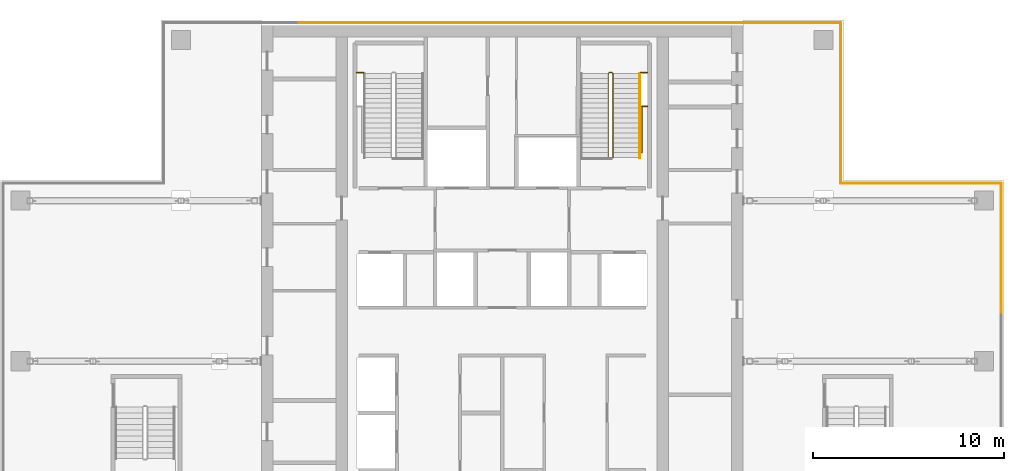
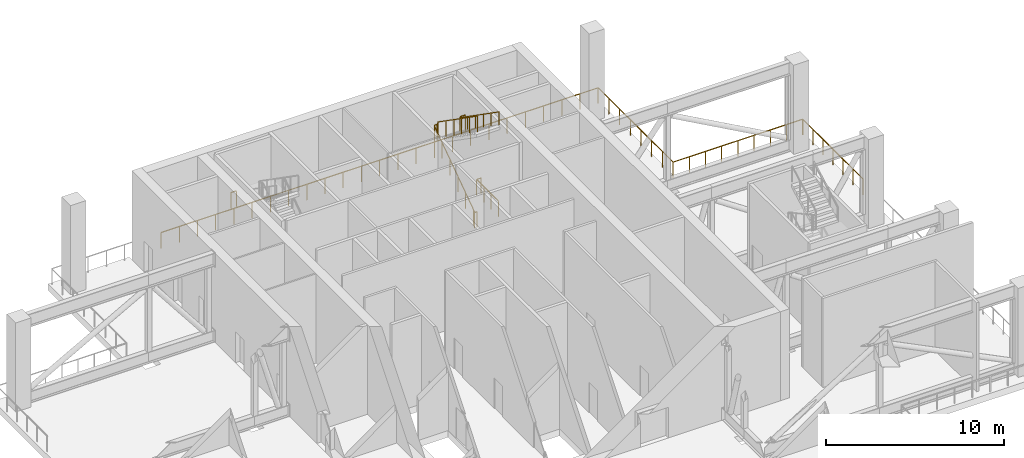
# One storey, part 24 of 24: 12 railings.
"""IFC4 building model written with IfcOpenShell, lengths in metres."""

from ifc_helpers import new_model, si_unit, direction, frame, origin, origin_2d, place, context, subcontext, project, spatial, rectangle, extrude, material, type_object, element, save


model = new_model("IFC4")

# Units and contexts
model_context = context("Model", 3, precision=1e-05, world=origin(), true_north=direction((0.0, 1.0)))
body_context = subcontext(model_context, "Body", "Model", "MODEL_VIEW")
ifc_project = project(units=[si_unit("LENGTHUNIT", "METRE"), si_unit("AREAUNIT", "SQUARE_METRE"), si_unit("VOLUMEUNIT", "CUBIC_METRE"), si_unit("PLANEANGLEUNIT", "RADIAN"), si_unit("MASSUNIT", "GRAM", prefix="KILO")], contexts=[model_context])

# Site, building, storey
site_placement = place(None, origin())
site = spatial("IfcSite", under=ifc_project, at=site_placement, CompositionType="ELEMENT")
building_placement = place(site_placement, origin())
building = spatial("IfcBuilding", under=site, at=building_placement, Name="Vermilion Ogive Tower", CompositionType="ELEMENT")
storey_placement = place(building_placement, frame((0.0, 0.0, 216.949951171875)))
storey = spatial("IfcBuildingStorey", under=building, at=storey_placement, Name="L57", CompositionType="ELEMENT", Elevation=216.949951171875)

# Railings
ifc_material_1 = material(Name="Stainless steel and glass", Category="steel")
railing_type_1 = type_object("IfcRailingType", Name="Edge guard", PredefinedType="GUARDRAIL", material=ifc_material_1)
for number, where, name in (
    (1, (-10.6201171875, 21.89990234375, 0.0), "Open edge guard L57 6.2"),
    (2, (-3.5400390625, 21.89990234375, 0.0), "Open edge guard L57 6.3"),
    (3, (3.5400390625, 21.89990234375, 0.0), "Open edge guard L57 6.4"),
):
    element("IfcRailing", number, at=place(storey_placement, frame(where)), inside=storey, type_object=railing_type_1, Name=name, PredefinedType="GUARDRAIL", context=body_context, shape_type="SweptSolid", body=[
        extrude(rectangle(XDim=0.048095703125, YDim=0.048095703125, at=origin_2d()), frame((0.0, 0.0, 1.076171875), z_axis=(1.0, 0.0, 0.0), x_axis=(0.0, 1.0, 0.0)), (0.0, 0.0, 1.0), 7.080078125),
        extrude(rectangle(XDim=0.0419921875, YDim=0.0419921875, at=origin_2d()), origin(), (0.0, 0.0, 1.0), 1.052001953125),
        extrude(rectangle(XDim=0.0419921875, YDim=0.0419921875, at=origin_2d()), frame((1.179931640625, 0.0, 0.0)), (0.0, 0.0, 1.0), 1.052001953125),
        extrude(rectangle(XDim=0.0419921875, YDim=0.0419921875, at=origin_2d()), frame((2.360107421875, 0.0, 0.0)), (0.0, 0.0, 1.0), 1.052001953125),
        extrude(rectangle(XDim=0.0419921875, YDim=0.0419921875, at=origin_2d()), frame((3.5400390625, 0.0, 0.0)), (0.0, 0.0, 1.0), 1.052001953125),
        extrude(rectangle(XDim=0.0419921875, YDim=0.0419921875, at=origin_2d()), frame((4.719970703125, 0.0, 0.0)), (0.0, 0.0, 1.0), 1.052001953125),
        extrude(rectangle(XDim=0.0419921875, YDim=0.0419921875, at=origin_2d()), frame((5.900146484375, 0.0, 0.0)), (0.0, 0.0, 1.0), 1.052001953125),
        extrude(rectangle(XDim=0.0419921875, YDim=0.0419921875, at=origin_2d()), frame((7.080078125, 0.0, 0.0)), (0.0, 0.0, 1.0), 1.052001953125),
    ])
railing_1_placement = place(storey_placement, frame((10.6201171875, 21.89990234375, 0.0)))
element("IfcRailing", 4, at=railing_1_placement, inside=storey, type_object=railing_type_1, Name="Open edge guard L57 6.5", PredefinedType="GUARDRAIL", context=body_context, shape_type="SweptSolid", body=[
    extrude(rectangle(XDim=0.048095703125, YDim=0.048095703125, at=origin_2d()), frame((0.0, 0.0, 1.076171875), z_axis=(1.0, 0.0, 0.0), x_axis=(0.0, 1.0, 0.0)), (0.0, 0.0, 1.0), 7.079833984375),
    extrude(rectangle(XDim=0.0419921875, YDim=0.0419921875, at=origin_2d()), origin(), (0.0, 0.0, 1.0), 1.052001953125),
    extrude(rectangle(XDim=0.0419921875, YDim=0.0419921875, at=origin_2d()), frame((1.179931640625, 0.0, 0.0)), (0.0, 0.0, 1.0), 1.052001953125),
    extrude(rectangle(XDim=0.0419921875, YDim=0.0419921875, at=origin_2d()), frame((2.35986328125, 0.0, 0.0)), (0.0, 0.0, 1.0), 1.052001953125),
    extrude(rectangle(XDim=0.0419921875, YDim=0.0419921875, at=origin_2d()), frame((3.5400390625, 0.0, 0.0)), (0.0, 0.0, 1.0), 1.052001953125),
    extrude(rectangle(XDim=0.0419921875, YDim=0.0419921875, at=origin_2d()), frame((4.719970703125, 0.0, 0.0)), (0.0, 0.0, 1.0), 1.052001953125),
    extrude(rectangle(XDim=0.0419921875, YDim=0.0419921875, at=origin_2d()), frame((5.89990234375, 0.0, 0.0)), (0.0, 0.0, 1.0), 1.052001953125),
    extrude(rectangle(XDim=0.0419921875, YDim=0.0419921875, at=origin_2d()), frame((7.079833984375, 0.0, 0.0)), (0.0, 0.0, 1.0), 1.052001953125),
])
railing_2_placement = place(storey_placement, frame((17.699951171875, 21.89990234375, 0.0)))
element("IfcRailing", 5, at=railing_2_placement, inside=storey, type_object=railing_type_1, Name="Open edge guard L57 7.1", PredefinedType="GUARDRAIL", context=body_context, shape_type="SweptSolid", body=[
    extrude(rectangle(XDim=0.048095703125, YDim=0.048095703125, at=origin_2d()), frame((0.0, 0.0, 1.076171875), z_axis=(0.0, -1.0, 0.0), x_axis=(1.0, 0.0, 0.0)), (0.0, 0.0, 1.0), 8.39990234375),
    extrude(rectangle(XDim=0.0419921875, YDim=0.0419921875, at=origin_2d()), origin(), (0.0, 0.0, 1.0), 1.052001953125),
    extrude(rectangle(XDim=0.0419921875, YDim=0.0419921875, at=origin_2d()), frame((0.0, -1.199951171875, 0.0)), (0.0, 0.0, 1.0), 1.052001953125),
    extrude(rectangle(XDim=0.0419921875, YDim=0.0419921875, at=origin_2d()), frame((0.0, -2.39990234375, 0.0)), (0.0, 0.0, 1.0), 1.052001953125),
    extrude(rectangle(XDim=0.0419921875, YDim=0.0419921875, at=origin_2d()), frame((0.0, -3.599853515625, 0.0)), (0.0, 0.0, 1.0), 1.052001953125),
    extrude(rectangle(XDim=0.0419921875, YDim=0.0419921875, at=origin_2d()), frame((0.0, -4.800048828125, 0.0)), (0.0, 0.0, 1.0), 1.052001953125),
    extrude(rectangle(XDim=0.0419921875, YDim=0.0419921875, at=origin_2d()), frame((0.0, -6.0, 0.0)), (0.0, 0.0, 1.0), 1.052001953125),
    extrude(rectangle(XDim=0.0419921875, YDim=0.0419921875, at=origin_2d()), frame((0.0, -7.199951171875, 0.0)), (0.0, 0.0, 1.0), 1.052001953125),
    extrude(rectangle(XDim=0.0419921875, YDim=0.0419921875, at=origin_2d()), frame((0.0, -8.39990234375, 0.0)), (0.0, 0.0, 1.0), 1.052001953125),
])
railing_3_placement = place(storey_placement, frame((17.699951171875, 13.5, 0.0)))
element("IfcRailing", 6, at=railing_3_placement, inside=storey, type_object=railing_type_1, Name="Open edge guard L57 8.1", PredefinedType="GUARDRAIL", context=body_context, shape_type="SweptSolid", body=[
    extrude(rectangle(XDim=0.048095703125, YDim=0.048095703125, at=origin_2d()), frame((0.0, 0.0, 1.076171875), z_axis=(1.0, 0.0, 0.0), x_axis=(0.0, 1.0, 0.0)), (0.0, 0.0, 1.0), 8.400146484375),
    extrude(rectangle(XDim=0.0419921875, YDim=0.0419921875, at=origin_2d()), origin(), (0.0, 0.0, 1.0), 1.052001953125),
    extrude(rectangle(XDim=0.0419921875, YDim=0.0419921875, at=origin_2d()), frame((1.050048828125, 0.0, 0.0)), (0.0, 0.0, 1.0), 1.052001953125),
    extrude(rectangle(XDim=0.0419921875, YDim=0.0419921875, at=origin_2d()), frame((2.10009765625, 0.0, 0.0)), (0.0, 0.0, 1.0), 1.052001953125),
    extrude(rectangle(XDim=0.0419921875, YDim=0.0419921875, at=origin_2d()), frame((3.150146484375, 0.0, 0.0)), (0.0, 0.0, 1.0), 1.052001953125),
    extrude(rectangle(XDim=0.0419921875, YDim=0.0419921875, at=origin_2d()), frame((4.2001953125, 0.0, 0.0)), (0.0, 0.0, 1.0), 1.052001953125),
    extrude(rectangle(XDim=0.0419921875, YDim=0.0419921875, at=origin_2d()), frame((5.25, 0.0, 0.0)), (0.0, 0.0, 1.0), 1.052001953125),
    extrude(rectangle(XDim=0.0419921875, YDim=0.0419921875, at=origin_2d()), frame((6.300048828125, 0.0, 0.0)), (0.0, 0.0, 1.0), 1.052001953125),
    extrude(rectangle(XDim=0.0419921875, YDim=0.0419921875, at=origin_2d()), frame((7.35009765625, 0.0, 0.0)), (0.0, 0.0, 1.0), 1.052001953125),
    extrude(rectangle(XDim=0.0419921875, YDim=0.0419921875, at=origin_2d()), frame((8.400146484375, 0.0, 0.0)), (0.0, 0.0, 1.0), 1.052001953125),
])
railing_4_placement = place(storey_placement, frame((26.10009765625, 13.5, 0.0)))
element("IfcRailing", 7, at=railing_4_placement, inside=storey, type_object=railing_type_1, Name="Open edge guard L57 9.1", PredefinedType="GUARDRAIL", context=body_context, shape_type="SweptSolid", body=[
    extrude(rectangle(XDim=0.048095703125, YDim=0.048095703125, at=origin_2d()), frame((0.0, 0.0, 1.076171875), z_axis=(0.0, -1.0, 0.0), x_axis=(1.0, 0.0, 0.0)), (0.0, 0.0, 1.0), 6.75),
    extrude(rectangle(XDim=0.0419921875, YDim=0.0419921875, at=origin_2d()), origin(), (0.0, 0.0, 1.0), 1.052001953125),
    extrude(rectangle(XDim=0.0419921875, YDim=0.0419921875, at=origin_2d()), frame((0.0, -1.125, 0.0)), (0.0, 0.0, 1.0), 1.052001953125),
    extrude(rectangle(XDim=0.0419921875, YDim=0.0419921875, at=origin_2d()), frame((0.0, -2.25, 0.0)), (0.0, 0.0, 1.0), 1.052001953125),
    extrude(rectangle(XDim=0.0419921875, YDim=0.0419921875, at=origin_2d()), frame((0.0, -3.375, 0.0)), (0.0, 0.0, 1.0), 1.052001953125),
    extrude(rectangle(XDim=0.0419921875, YDim=0.0419921875, at=origin_2d()), frame((0.0, -4.5, 0.0)), (0.0, 0.0, 1.0), 1.052001953125),
    extrude(rectangle(XDim=0.0419921875, YDim=0.0419921875, at=origin_2d()), frame((0.0, -5.625, 0.0)), (0.0, 0.0, 1.0), 1.052001953125),
    extrude(rectangle(XDim=0.0419921875, YDim=0.0419921875, at=origin_2d()), frame((0.0, -6.75, 0.0)), (0.0, 0.0, 1.0), 1.052001953125),
])
ifc_material_2 = material(Name="Steel S355 painted", Category="steel")
railing_type_2 = type_object("IfcRailingType", Name="Stair guard 1100", PredefinedType="GUARDRAIL", material=ifc_material_2)
railing_5_placement = place(storey_placement, frame((5.75, 14.800048828125, 0.0)))
element("IfcRailing", 8, at=railing_5_placement, inside=storey, type_object=railing_type_2, Name="L57 ST2 stair guard 4", PredefinedType="GUARDRAIL", context=body_context, shape_type="SweptSolid", body=[
    extrude(rectangle(XDim=0.048095703125, YDim=0.048095703125, at=origin_2d()), frame((0.0, 0.0, 1.076171875), z_axis=(-1.0, 0.0, 0.0), x_axis=(0.0, -1.0, 0.0)), (0.0, 0.0, 1.0), 0.14990234375),
    extrude(rectangle(XDim=0.048095703125, YDim=0.048095703125, at=origin_2d()), frame((-0.14990234375, 0.0, 1.076171875), z_axis=(-0.257938167925, 0.257938167925, 0.931093874459), x_axis=(-0.707106781187, -0.707106781187, 0.0)), (0.0, 0.0, 1.0), 0.194091796875),
    extrude(rectangle(XDim=0.048095703125, YDim=0.048095703125, at=origin_2d()), frame((-0.199951171875, 0.050048828125, 1.2568359375), z_axis=(0.0, 0.820158737978, 0.572136036725), x_axis=(-1.0, 0.0, 0.0)), (0.0, 0.0, 1.0), 5.36474609375),
    extrude(rectangle(XDim=0.048095703125, YDim=0.048095703125, at=origin_2d()), frame((-0.199951171875, 4.449951171875, 4.326171875), z_axis=(0.707106781187, 0.707106781187, 0.0), x_axis=(-0.707106781187, 0.707106781187, 0.0)), (0.0, 0.0, 1.0), 0.07080078125),
    extrude(rectangle(XDim=0.048095703125, YDim=0.048095703125, at=origin_2d()), frame((-0.14990234375, 4.5, 4.326171875), z_axis=(1.0, 0.0, 0.0), x_axis=(0.0, 1.0, 0.0)), (0.0, 0.0, 1.0), 0.14990234375),
    extrude(rectangle(XDim=0.048095703125, YDim=0.048095703125, at=origin_2d()), frame((0.0, 4.5, 4.326171875), z_axis=(0.257938167925, -0.257938167925, 0.931093874459), x_axis=(0.707106781187, 0.707106781187, 0.0)), (0.0, 0.0, 1.0), 0.194091796875),
    extrude(rectangle(XDim=0.048095703125, YDim=0.048095703125, at=origin_2d()), frame((0.050048828125, 4.449951171875, 4.5068359375), z_axis=(0.0, -0.820158737978, 0.572136036725), x_axis=(1.0, 0.0, 0.0)), (0.0, 0.0, 1.0), 5.36474609375),
    extrude(rectangle(XDim=0.0419921875, YDim=0.0419921875, at=origin_2d()), origin(), (0.0, 0.0, 1.0), 1.052001953125),
    extrude(rectangle(XDim=0.0419921875, YDim=0.0419921875, at=origin_2d()), frame((-0.14990234375, 0.0, 0.0)), (0.0, 0.0, 1.0), 1.052001953125),
    extrude(rectangle(XDim=0.0419921875, YDim=0.0419921875, at=origin_2d()), frame((-0.199951171875, 0.050048828125, 0.1806640625)), (0.0, 0.0, 1.0), 1.052001953125),
    extrude(rectangle(XDim=0.0419921875, YDim=0.0419921875, at=origin_2d()), frame((-0.199951171875, 0.929931640625, 0.79443359375)), (0.0, 0.0, 1.0), 1.052001953125),
    extrude(rectangle(XDim=0.0419921875, YDim=0.0419921875, at=origin_2d()), frame((-0.199951171875, 1.81005859375, 1.408447265625)), (0.0, 0.0, 1.0), 1.052001953125),
    extrude(rectangle(XDim=0.0419921875, YDim=0.0419921875, at=origin_2d()), frame((-0.199951171875, 2.68994140625, 2.022216796875)), (0.0, 0.0, 1.0), 1.052001953125),
    extrude(rectangle(XDim=0.0419921875, YDim=0.0419921875, at=origin_2d()), frame((-0.199951171875, 3.570068359375, 2.63623046875)), (0.0, 0.0, 1.0), 1.052001953125),
    extrude(rectangle(XDim=0.0419921875, YDim=0.0419921875, at=origin_2d()), frame((-0.199951171875, 4.449951171875, 3.25)), (0.0, 0.0, 1.0), 1.052001953125),
    extrude(rectangle(XDim=0.0419921875, YDim=0.0419921875, at=origin_2d()), frame((-0.14990234375, 4.5, 3.25)), (0.0, 0.0, 1.0), 1.052001953125),
    extrude(rectangle(XDim=0.0419921875, YDim=0.0419921875, at=origin_2d()), frame((0.0, 4.5, 3.25)), (0.0, 0.0, 1.0), 1.052001953125),
    extrude(rectangle(XDim=0.0419921875, YDim=0.0419921875, at=origin_2d()), frame((0.050048828125, 4.449951171875, 3.4306640625)), (0.0, 0.0, 1.0), 1.052001953125),
    extrude(rectangle(XDim=0.0419921875, YDim=0.0419921875, at=origin_2d()), frame((0.050048828125, 3.570068359375, 4.04443359375)), (0.0, 0.0, 1.0), 1.052001953125),
    extrude(rectangle(XDim=0.0419921875, YDim=0.0419921875, at=origin_2d()), frame((0.050048828125, 2.68994140625, 4.658447265625)), (0.0, 0.0, 1.0), 1.052001953125),
    extrude(rectangle(XDim=0.0419921875, YDim=0.0419921875, at=origin_2d()), frame((0.050048828125, 1.81005859375, 5.272216796875)), (0.0, 0.0, 1.0), 1.052001953125),
    extrude(rectangle(XDim=0.0419921875, YDim=0.0419921875, at=origin_2d()), frame((0.050048828125, 0.929931640625, 5.88623046875)), (0.0, 0.0, 1.0), 1.052001953125),
    extrude(rectangle(XDim=0.0419921875, YDim=0.0419921875, at=origin_2d()), frame((0.050048828125, 0.050048828125, 6.5)), (0.0, 0.0, 1.0), 1.052001953125),
])
for number, where, name in (
    (9, (-7.60009765625, 19.300048828125, 3.25), "L57 landing guard"),
    (10, (7.25, 19.300048828125, 3.25), "L57 landing guard"),
):
    element("IfcRailing", number, at=place(storey_placement, frame(where)), inside=storey, type_object=railing_type_2, Name=name, PredefinedType="GUARDRAIL", context=body_context, shape_type="SweptSolid", body=[
        extrude(rectangle(XDim=0.048095703125, YDim=0.048095703125, at=origin_2d()), frame((0.0, 0.0, 1.076171875), z_axis=(1.0, 0.0, 0.0), x_axis=(0.0, 1.0, 0.0)), (0.0, 0.0, 1.0), 0.35009765625),
        extrude(rectangle(XDim=0.0419921875, YDim=0.0419921875, at=origin_2d()), origin(), (0.0, 0.0, 1.0), 1.052001953125),
        extrude(rectangle(XDim=0.0419921875, YDim=0.0419921875, at=origin_2d()), frame((0.35009765625, 0.0, 0.0)), (0.0, 0.0, 1.0), 1.052001953125),
    ])
railing_6_placement = place(storey_placement, frame((7.599609375, 17.54296875, 0.0)))
element("IfcRailing", 11, at=railing_6_placement, inside=storey, type_object=railing_type_2, Name="L57 stair opening guard", PredefinedType="GUARDRAIL", context=body_context, shape_type="SweptSolid", body=[
    extrude(rectangle(XDim=0.048095703125, YDim=0.048095703125, at=origin_2d()), frame((0.0, 0.0, 1.076171875), z_axis=(-1.0, 0.0, 0.0), x_axis=(0.0, -1.0, 0.0)), (0.0, 0.0, 1.0), 0.2900390625),
    extrude(rectangle(XDim=0.048095703125, YDim=0.048095703125, at=origin_2d()), frame((-0.2900390625, 0.0, 1.076171875), z_axis=(0.0, -1.0, 0.0), x_axis=(1.0, 0.0, 0.0)), (0.0, 0.0, 1.0), 2.42431640625),
    extrude(rectangle(XDim=0.0419921875, YDim=0.0419921875, at=origin_2d()), origin(), (0.0, 0.0, 1.0), 1.052001953125),
    extrude(rectangle(XDim=0.0419921875, YDim=0.0419921875, at=origin_2d()), frame((-0.2900390625, 0.0, 0.0)), (0.0, 0.0, 1.0), 1.052001953125),
    extrude(rectangle(XDim=0.0419921875, YDim=0.0419921875, at=origin_2d()), frame((-0.2900390625, -0.80810546875, 0.0)), (0.0, 0.0, 1.0), 1.052001953125),
    extrude(rectangle(XDim=0.0419921875, YDim=0.0419921875, at=origin_2d()), frame((-0.2900390625, -1.6162109375, 0.0)), (0.0, 0.0, 1.0), 1.052001953125),
    extrude(rectangle(XDim=0.0419921875, YDim=0.0419921875, at=origin_2d()), frame((-0.2900390625, -2.42431640625, 0.0)), (0.0, 0.0, 1.0), 1.052001953125),
])
ifc_material_3 = material(Name="Stainless steel", Category="steel")
railing_type_3 = type_object("IfcRailingType", Name="Stair handrail 900", PredefinedType="HANDRAIL", material=ifc_material_3)
railing_7_placement = place(storey_placement, frame((7.199951171875, 19.25, 3.4306640625)))
element("IfcRailing", 12, at=railing_7_placement, inside=storey, type_object=railing_type_3, Name="L57 ST2 stair handrail 2", PredefinedType="HANDRAIL", context=body_context, shape_type="SweptSolid", body=[
    extrude(rectangle(XDim=0.048095703125, YDim=0.048095703125, at=origin_2d()), frame((0.0, 0.0, 0.8759765625), z_axis=(0.0, -0.820158737978, 0.572136036725), x_axis=(1.0, 0.0, 0.0)), (0.0, 0.0, 1.0), 5.36474609375),
    extrude(rectangle(XDim=0.0419921875, YDim=0.0419921875, at=origin_2d()), origin(), (0.0, 0.0, 1.0), 0.851806640625),
    extrude(rectangle(XDim=0.0419921875, YDim=0.0419921875, at=origin_2d()), frame((0.0, -0.8798828125, 0.61376953125)), (0.0, 0.0, 1.0), 0.851806640625),
    extrude(rectangle(XDim=0.0419921875, YDim=0.0419921875, at=origin_2d()), frame((0.0, -1.760009765625, 1.227783203125)), (0.0, 0.0, 1.0), 0.851806640625),
    extrude(rectangle(XDim=0.0419921875, YDim=0.0419921875, at=origin_2d()), frame((0.0, -2.639892578125, 1.841552734375)), (0.0, 0.0, 1.0), 0.851806640625),
    extrude(rectangle(XDim=0.0419921875, YDim=0.0419921875, at=origin_2d()), frame((0.0, -3.52001953125, 2.45556640625)), (0.0, 0.0, 1.0), 0.851806640625),
    extrude(rectangle(XDim=0.0419921875, YDim=0.0419921875, at=origin_2d()), frame((0.0, -4.39990234375, 3.0693359375)), (0.0, 0.0, 1.0), 0.851806640625),
])

save(model, "model.ifc")
